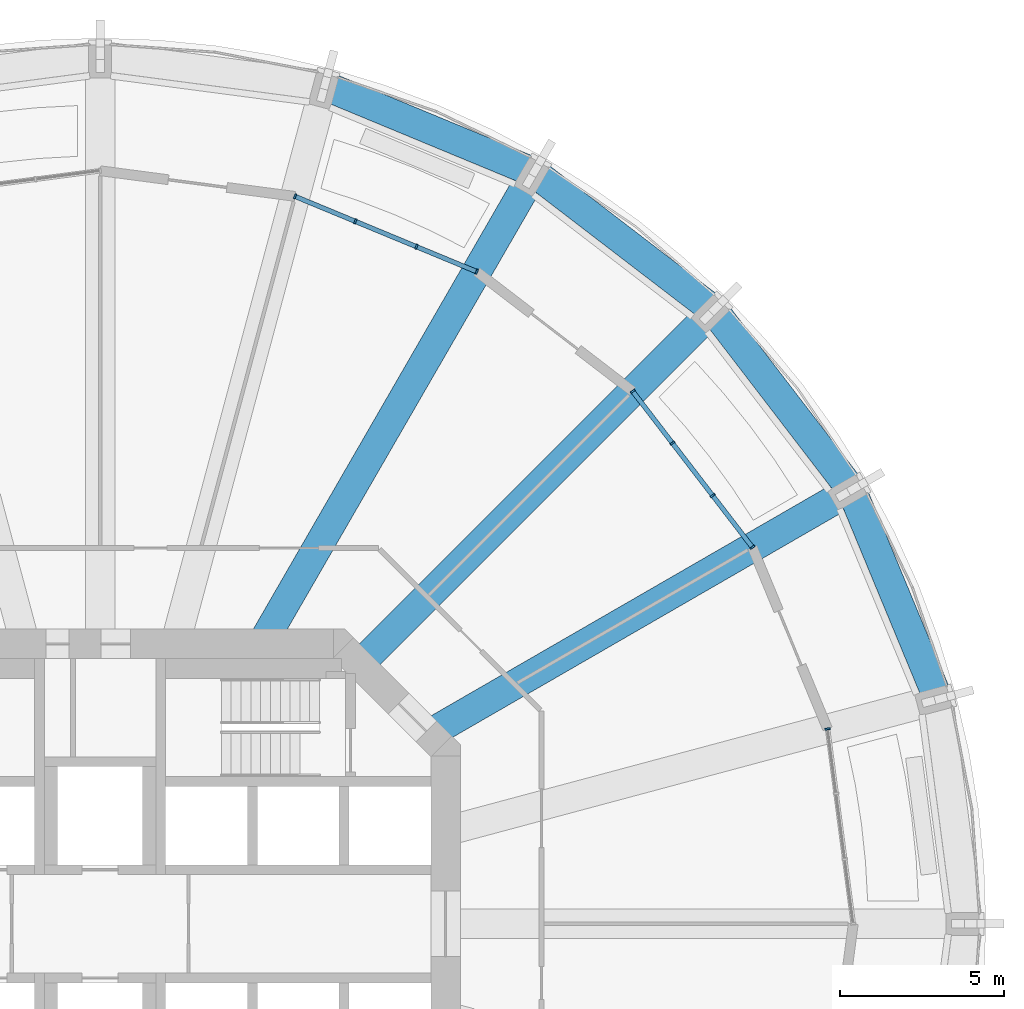
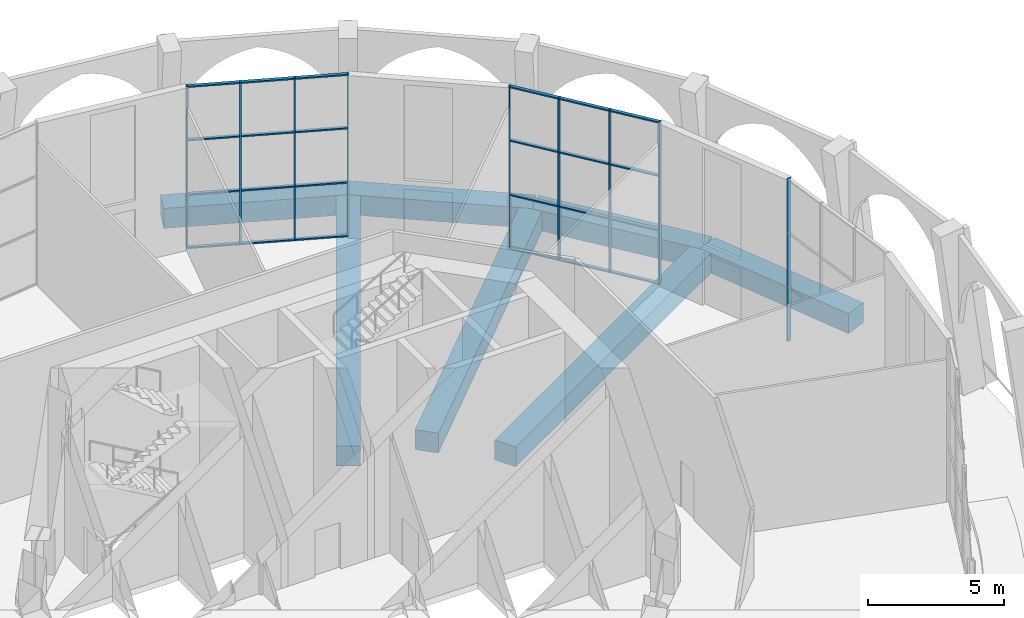
# One storey, part 9 of 19: 33 members, 7 beams, 3 elements without a shape of their own.
"""IFC4 building model written with IfcOpenShell, lengths in metres."""

from ifc_helpers import new_model, si_unit, direction, frame, origin, origin_2d, place, context, subcontext, project, spatial, rectangle, extrude, material, material_profile, profile_set, type_object, element, aggregate, save


model = new_model("IFC4")

# Units and contexts
model_context = context("Model", 3, precision=1e-05, world=origin(), true_north=direction((0.0, 1.0)))
body_context = subcontext(model_context, "Body", "Model", "MODEL_VIEW")
ifc_project = project(units=[si_unit("LENGTHUNIT", "METRE"), si_unit("AREAUNIT", "SQUARE_METRE"), si_unit("VOLUMEUNIT", "CUBIC_METRE"), si_unit("PLANEANGLEUNIT", "RADIAN"), si_unit("MASSUNIT", "GRAM", prefix="KILO")], contexts=[model_context])

# Site, building, storey
site_placement = place(None, origin())
site = spatial("IfcSite", under=ifc_project, at=site_placement, CompositionType="ELEMENT")
building_placement = place(site_placement, origin())
building = spatial("IfcBuilding", under=site, at=building_placement, Name="Torre Triforio", CompositionType="ELEMENT")
storey_placement = place(building_placement, frame((0.0, 0.0, 79.0)))
storey = spatial("IfcBuildingStorey", under=building, at=storey_placement, Name="L17", CompositionType="ELEMENT", Elevation=79.0)

# Curtain wall, member
ifc_material_1 = material(Name="Aluminium mullion and transom frame with clear laminated glass", Category="aluminium")
curtain_wall_type = type_object("IfcCurtainWallType", Name="Sky garden conservatory wall ECW3", PredefinedType="NOTDEFINED", material=ifc_material_1)
curtain_wall_1_placement = place(storey_placement, origin())
curtain_wall_1 = element("IfcCurtainWall", 1, at=curtain_wall_1_placement, inside=storey, type_object=curtain_wall_type, Name="Conservatory wall L17 bay 01", PredefinedType="NOTDEFINED")
ifc_material_2 = material(Name="Anodised aluminium extrusion", Category="aluminium")
ifc_material_profile_1 = material_profile(ifc_material_2, rectangle(XDim=0.159912109375, YDim=0.06005859375, at=origin_2d()), Name="ECW3 MULLION 60x160")
ifc_profile_set_1 = profile_set([ifc_material_profile_1], Name="Anodised aluminium extrusion")
member_type_1 = type_object("IfcMemberType", Name="ECW3 mullion 60 x 160", PredefinedType="MULLION", material=ifc_profile_set_1)
member_1_placement = place(storey_placement, frame((22.21630859375, 5.952880859375, 0.0), z_axis=(0.0, 0.0, 1.0), x_axis=(-0.991445593559, -0.130520630599, 0.0)))
member_1 = element("IfcMember", 2, at=member_1_placement, type_object=member_type_1, Name="ECW3 mullion 4", PredefinedType="MULLION", context=body_context, shape_type="SweptSolid", body=[
    extrude(rectangle(XDim=0.159912109375, YDim=0.06005859375, at=origin_2d()), origin(), (0.0, 0.0, 1.0), 7.320068359375),
])
aggregate(curtain_wall_1, [member_1])

# Curtain wall, members
curtain_wall_2_placement = place(storey_placement, origin())
curtain_wall_2 = element("IfcCurtainWall", 3, at=curtain_wall_2_placement, inside=storey, type_object=curtain_wall_type, Name="Conservatory wall L17 bay 03", PredefinedType="NOTDEFINED")
member_2_placement = place(storey_placement, frame((19.91845703125, 11.5, 0.0), z_axis=(0.0, 0.0, 1.0), x_axis=(-0.79336025885, -0.608752412461, 0.0)))
member_2 = element("IfcMember", 4, at=member_2_placement, type_object=member_type_1, Name="ECW3 mullion 1", PredefinedType="MULLION", context=body_context, shape_type="SweptSolid", body=[
    extrude(rectangle(XDim=0.159912109375, YDim=0.06005859375, at=origin_2d()), origin(), (0.0, 0.0, 1.0), 7.320068359375),
])
member_3_placement = place(storey_placement, frame((18.706298828125, 13.079833984375, 0.0), z_axis=(0.0, 0.0, 1.0), x_axis=(-0.79336025885, -0.608752412461, 0.0)))
member_3 = element("IfcMember", 5, at=member_3_placement, type_object=member_type_1, Name="ECW3 mullion 2", PredefinedType="MULLION", context=body_context, shape_type="SweptSolid", body=[
    extrude(rectangle(XDim=0.159912109375, YDim=0.06005859375, at=origin_2d()), origin(), (0.0, 0.0, 1.0), 7.320068359375),
])
member_4_placement = place(storey_placement, frame((17.475830078125, 14.68359375, 0.0), z_axis=(0.0, 0.0, 1.0), x_axis=(-0.79336025885, -0.608752412461, 0.0)))
member_4 = element("IfcMember", 6, at=member_4_placement, type_object=member_type_1, Name="ECW3 mullion 3", PredefinedType="MULLION", context=body_context, shape_type="SweptSolid", body=[
    extrude(rectangle(XDim=0.159912109375, YDim=0.06005859375, at=origin_2d()), origin(), (0.0, 0.0, 1.0), 7.320068359375),
])
member_5_placement = place(storey_placement, frame((16.263427734375, 16.263427734375, 0.0), z_axis=(0.0, 0.0, 1.0), x_axis=(-0.79336025885, -0.608752412461, 0.0)))
member_5 = element("IfcMember", 7, at=member_5_placement, type_object=member_type_1, Name="ECW3 mullion 4", PredefinedType="MULLION", context=body_context, shape_type="SweptSolid", body=[
    extrude(rectangle(XDim=0.159912109375, YDim=0.06005859375, at=origin_2d()), origin(), (0.0, 0.0, 1.0), 7.320068359375),
])

curtain_wall_3_placement = place(storey_placement, origin())
curtain_wall_3 = element("IfcCurtainWall", 8, at=curtain_wall_3_placement, inside=storey, type_object=curtain_wall_type, Name="Conservatory wall L17 bay 05", PredefinedType="NOTDEFINED")
member_6_placement = place(storey_placement, frame((11.5, 19.918701171875, 0.0), z_axis=(0.0, 0.0, 1.0), x_axis=(-0.382687246105, -0.923877952799, 0.0)))
member_6 = element("IfcMember", 9, at=member_6_placement, type_object=member_type_1, Name="ECW3 mullion 1", PredefinedType="MULLION", context=body_context, shape_type="SweptSolid", body=[
    extrude(rectangle(XDim=0.159912109375, YDim=0.06005859375, at=origin_2d()), origin(), (0.0, 0.0, 1.0), 7.320068359375),
])
member_7_placement = place(storey_placement, frame((9.66015625, 20.6806640625, 0.0), z_axis=(0.0, 0.0, 1.0), x_axis=(-0.382687246105, -0.923877952799, 0.0)))
member_7 = element("IfcMember", 10, at=member_7_placement, type_object=member_type_1, Name="ECW3 mullion 2", PredefinedType="MULLION", context=body_context, shape_type="SweptSolid", body=[
    extrude(rectangle(XDim=0.159912109375, YDim=0.06005859375, at=origin_2d()), origin(), (0.0, 0.0, 1.0), 7.320068359375),
])
member_8_placement = place(storey_placement, frame((7.792724609375, 21.454345703125, 0.0), z_axis=(0.0, 0.0, 1.0), x_axis=(-0.382687246105, -0.923877952799, 0.0)))
member_8 = element("IfcMember", 11, at=member_8_placement, type_object=member_type_1, Name="ECW3 mullion 3", PredefinedType="MULLION", context=body_context, shape_type="SweptSolid", body=[
    extrude(rectangle(XDim=0.159912109375, YDim=0.06005859375, at=origin_2d()), origin(), (0.0, 0.0, 1.0), 7.320068359375),
])
member_9_placement = place(storey_placement, frame((5.952880859375, 22.21630859375, 0.0), z_axis=(0.0, 0.0, 1.0), x_axis=(-0.382687246105, -0.923877952799, 0.0)))
member_9 = element("IfcMember", 12, at=member_9_placement, type_object=member_type_1, Name="ECW3 mullion 4", PredefinedType="MULLION", context=body_context, shape_type="SweptSolid", body=[
    extrude(rectangle(XDim=0.159912109375, YDim=0.06005859375, at=origin_2d()), origin(), (0.0, 0.0, 1.0), 7.320068359375),
])

# Member
ifc_material_profile_2 = material_profile(ifc_material_2, rectangle(XDim=0.139892578125, YDim=0.06005859375, at=origin_2d()), Name="ECW3 TRANSOM 60x140")
ifc_profile_set_2 = profile_set([ifc_material_profile_2], Name="Anodised aluminium extrusion")
member_type_2 = type_object("IfcMemberType", Name="ECW3 transom 60 x 140", PredefinedType="USERDEFINED", material=ifc_profile_set_2)
member_10_placement = place(storey_placement, frame((19.900390625, 11.523681640625, 0.030029296875), z_axis=(-0.608720735783, 0.793384563644, 0.0), x_axis=(-0.793384563644, -0.608720735783, 0.0)))
member_10 = element("IfcMember", 13, at=member_10_placement, type_object=member_type_2, Name="ECW3 transom 1.1", ObjectType="TRANSOM", PredefinedType="USERDEFINED", context=body_context, shape_type="SweptSolid", body=[
    extrude(rectangle(XDim=0.139892578125, YDim=0.06005859375, at=origin_2d()), origin(), (0.0, 0.0, 1.0), 1.931640625),
])

member_11_placement = place(storey_placement, frame((19.900390625, 11.523681640625, 2.43994140625), z_axis=(-0.608720735783, 0.793384563644, 0.0), x_axis=(-0.793384563644, -0.608720735783, 0.0)))
member_11 = element("IfcMember", 14, at=member_11_placement, type_object=member_type_2, Name="ECW3 transom 1.2", ObjectType="TRANSOM", PredefinedType="USERDEFINED", context=body_context, shape_type="SweptSolid", body=[
    extrude(rectangle(XDim=0.139892578125, YDim=0.06005859375, at=origin_2d()), origin(), (0.0, 0.0, 1.0), 1.931640625),
])

member_12_placement = place(storey_placement, frame((19.900390625, 11.523681640625, 4.8798828125), z_axis=(-0.608720735783, 0.793384563644, 0.0), x_axis=(-0.793384563644, -0.608720735783, 0.0)))
member_12 = element("IfcMember", 15, at=member_12_placement, type_object=member_type_2, Name="ECW3 transom 1.3", ObjectType="TRANSOM", PredefinedType="USERDEFINED", context=body_context, shape_type="SweptSolid", body=[
    extrude(rectangle(XDim=0.139892578125, YDim=0.06005859375, at=origin_2d()), origin(), (0.0, 0.0, 1.0), 1.931640625),
])

member_13_placement = place(storey_placement, frame((19.900390625, 11.523681640625, 7.2900390625), z_axis=(-0.608720735783, 0.793384563644, 0.0), x_axis=(-0.793384563644, -0.608720735783, 0.0)))
member_13 = element("IfcMember", 16, at=member_13_placement, type_object=member_type_2, Name="ECW3 transom 1.4", ObjectType="TRANSOM", PredefinedType="USERDEFINED", context=body_context, shape_type="SweptSolid", body=[
    extrude(rectangle(XDim=0.139892578125, YDim=0.06005859375, at=origin_2d()), origin(), (0.0, 0.0, 1.0), 1.931640625),
])

member_14_placement = place(storey_placement, frame((18.68798828125, 13.103759765625, 0.030029296875), z_axis=(-0.608765955401, 0.793349867047, 0.0), x_axis=(-0.793349867047, -0.608765955401, 0.0)))
member_14 = element("IfcMember", 17, at=member_14_placement, type_object=member_type_2, Name="ECW3 transom 2.1", ObjectType="TRANSOM", PredefinedType="USERDEFINED", context=body_context, shape_type="SweptSolid", body=[
    extrude(rectangle(XDim=0.139892578125, YDim=0.06005859375, at=origin_2d()), origin(), (0.0, 0.0, 1.0), 1.96142578125),
])

member_15_placement = place(storey_placement, frame((18.68798828125, 13.103759765625, 2.43994140625), z_axis=(-0.608765955401, 0.793349867047, 0.0), x_axis=(-0.793349867047, -0.608765955401, 0.0)))
member_15 = element("IfcMember", 18, at=member_15_placement, type_object=member_type_2, Name="ECW3 transom 2.2", ObjectType="TRANSOM", PredefinedType="USERDEFINED", context=body_context, shape_type="SweptSolid", body=[
    extrude(rectangle(XDim=0.139892578125, YDim=0.06005859375, at=origin_2d()), origin(), (0.0, 0.0, 1.0), 1.96142578125),
])

member_16_placement = place(storey_placement, frame((18.68798828125, 13.103759765625, 4.8798828125), z_axis=(-0.608765955401, 0.793349867047, 0.0), x_axis=(-0.793349867047, -0.608765955401, 0.0)))
member_16 = element("IfcMember", 19, at=member_16_placement, type_object=member_type_2, Name="ECW3 transom 2.3", ObjectType="TRANSOM", PredefinedType="USERDEFINED", context=body_context, shape_type="SweptSolid", body=[
    extrude(rectangle(XDim=0.139892578125, YDim=0.06005859375, at=origin_2d()), origin(), (0.0, 0.0, 1.0), 1.96142578125),
])

member_17_placement = place(storey_placement, frame((18.68798828125, 13.103759765625, 7.2900390625), z_axis=(-0.608765955401, 0.793349867047, 0.0), x_axis=(-0.793349867047, -0.608765955401, 0.0)))
member_17 = element("IfcMember", 20, at=member_17_placement, type_object=member_type_2, Name="ECW3 transom 2.4", ObjectType="TRANSOM", PredefinedType="USERDEFINED", context=body_context, shape_type="SweptSolid", body=[
    extrude(rectangle(XDim=0.139892578125, YDim=0.06005859375, at=origin_2d()), origin(), (0.0, 0.0, 1.0), 1.96142578125),
])

member_18_placement = place(storey_placement, frame((17.45751953125, 14.70751953125, 0.030029296875), z_axis=(-0.608781782764, 0.793337721891, 0.0), x_axis=(-0.793337721891, -0.608781782764, 0.0)))
member_18 = element("IfcMember", 21, at=member_18_placement, type_object=member_type_2, Name="ECW3 transom 3.1", ObjectType="TRANSOM", PredefinedType="USERDEFINED", context=body_context, shape_type="SweptSolid", body=[
    extrude(rectangle(XDim=0.139892578125, YDim=0.06005859375, at=origin_2d()), origin(), (0.0, 0.0, 1.0), 1.931396484375),
])

member_19_placement = place(storey_placement, frame((17.45751953125, 14.70751953125, 2.43994140625), z_axis=(-0.608781782764, 0.793337721891, 0.0), x_axis=(-0.793337721891, -0.608781782764, 0.0)))
member_19 = element("IfcMember", 22, at=member_19_placement, type_object=member_type_2, Name="ECW3 transom 3.2", ObjectType="TRANSOM", PredefinedType="USERDEFINED", context=body_context, shape_type="SweptSolid", body=[
    extrude(rectangle(XDim=0.139892578125, YDim=0.06005859375, at=origin_2d()), origin(), (0.0, 0.0, 1.0), 1.931396484375),
])

member_20_placement = place(storey_placement, frame((17.45751953125, 14.70751953125, 4.8798828125), z_axis=(-0.608781782764, 0.793337721891, 0.0), x_axis=(-0.793337721891, -0.608781782764, 0.0)))
member_20 = element("IfcMember", 23, at=member_20_placement, type_object=member_type_2, Name="ECW3 transom 3.3", ObjectType="TRANSOM", PredefinedType="USERDEFINED", context=body_context, shape_type="SweptSolid", body=[
    extrude(rectangle(XDim=0.139892578125, YDim=0.06005859375, at=origin_2d()), origin(), (0.0, 0.0, 1.0), 1.931396484375),
])

member_21_placement = place(storey_placement, frame((17.45751953125, 14.70751953125, 7.2900390625), z_axis=(-0.608781782764, 0.793337721891, 0.0), x_axis=(-0.793337721891, -0.608781782764, 0.0)))
member_21 = element("IfcMember", 24, at=member_21_placement, type_object=member_type_2, Name="ECW3 transom 3.4", ObjectType="TRANSOM", PredefinedType="USERDEFINED", context=body_context, shape_type="SweptSolid", body=[
    extrude(rectangle(XDim=0.139892578125, YDim=0.06005859375, at=origin_2d()), origin(), (0.0, 0.0, 1.0), 1.931396484375),
])

aggregate(curtain_wall_2, [member_2, member_3, member_4, member_5, member_10, member_11, member_12, member_13, member_14, member_15, member_16, member_17, member_18, member_19, member_20, member_21])

member_22_placement = place(storey_placement, frame((11.47216796875, 19.93017578125, 0.030029296875), z_axis=(-0.92388278253, 0.382675586032, 0.0), x_axis=(-0.382675586032, -0.92388278253, 0.0)))
member_22 = element("IfcMember", 25, at=member_22_placement, type_object=member_type_2, Name="ECW3 transom 1.1", ObjectType="TRANSOM", PredefinedType="USERDEFINED", context=body_context, shape_type="SweptSolid", body=[
    extrude(rectangle(XDim=0.139892578125, YDim=0.06005859375, at=origin_2d()), origin(), (0.0, 0.0, 1.0), 1.93115234375),
])

member_23_placement = place(storey_placement, frame((11.47216796875, 19.93017578125, 2.43994140625), z_axis=(-0.92388278253, 0.382675586032, 0.0), x_axis=(-0.382675586032, -0.92388278253, 0.0)))
member_23 = element("IfcMember", 26, at=member_23_placement, type_object=member_type_2, Name="ECW3 transom 1.2", ObjectType="TRANSOM", PredefinedType="USERDEFINED", context=body_context, shape_type="SweptSolid", body=[
    extrude(rectangle(XDim=0.139892578125, YDim=0.06005859375, at=origin_2d()), origin(), (0.0, 0.0, 1.0), 1.93115234375),
])

member_24_placement = place(storey_placement, frame((11.47216796875, 19.93017578125, 4.8798828125), z_axis=(-0.92388278253, 0.382675586032, 0.0), x_axis=(-0.382675586032, -0.92388278253, 0.0)))
member_24 = element("IfcMember", 27, at=member_24_placement, type_object=member_type_2, Name="ECW3 transom 1.3", ObjectType="TRANSOM", PredefinedType="USERDEFINED", context=body_context, shape_type="SweptSolid", body=[
    extrude(rectangle(XDim=0.139892578125, YDim=0.06005859375, at=origin_2d()), origin(), (0.0, 0.0, 1.0), 1.93115234375),
])

member_25_placement = place(storey_placement, frame((11.47216796875, 19.93017578125, 7.2900390625), z_axis=(-0.92388278253, 0.382675586032, 0.0), x_axis=(-0.382675586032, -0.92388278253, 0.0)))
member_25 = element("IfcMember", 28, at=member_25_placement, type_object=member_type_2, Name="ECW3 transom 1.4", ObjectType="TRANSOM", PredefinedType="USERDEFINED", context=body_context, shape_type="SweptSolid", body=[
    extrude(rectangle(XDim=0.139892578125, YDim=0.06005859375, at=origin_2d()), origin(), (0.0, 0.0, 1.0), 1.93115234375),
])

member_26_placement = place(storey_placement, frame((9.632568359375, 20.692138671875, 0.030029296875), z_axis=(-0.923866651068, 0.38271452944, 0.0), x_axis=(-0.38271452944, -0.923866651068, 0.0)))
member_26 = element("IfcMember", 29, at=member_26_placement, type_object=member_type_2, Name="ECW3 transom 2.1", ObjectType="TRANSOM", PredefinedType="USERDEFINED", context=body_context, shape_type="SweptSolid", body=[
    extrude(rectangle(XDim=0.139892578125, YDim=0.06005859375, at=origin_2d()), origin(), (0.0, 0.0, 1.0), 1.961669921875),
])

member_27_placement = place(storey_placement, frame((9.632568359375, 20.692138671875, 2.43994140625), z_axis=(-0.923866651068, 0.38271452944, 0.0), x_axis=(-0.38271452944, -0.923866651068, 0.0)))
member_27 = element("IfcMember", 30, at=member_27_placement, type_object=member_type_2, Name="ECW3 transom 2.2", ObjectType="TRANSOM", PredefinedType="USERDEFINED", context=body_context, shape_type="SweptSolid", body=[
    extrude(rectangle(XDim=0.139892578125, YDim=0.06005859375, at=origin_2d()), origin(), (0.0, 0.0, 1.0), 1.961669921875),
])

member_28_placement = place(storey_placement, frame((9.632568359375, 20.692138671875, 4.8798828125), z_axis=(-0.923866651068, 0.38271452944, 0.0), x_axis=(-0.38271452944, -0.923866651068, 0.0)))
member_28 = element("IfcMember", 31, at=member_28_placement, type_object=member_type_2, Name="ECW3 transom 2.3", ObjectType="TRANSOM", PredefinedType="USERDEFINED", context=body_context, shape_type="SweptSolid", body=[
    extrude(rectangle(XDim=0.139892578125, YDim=0.06005859375, at=origin_2d()), origin(), (0.0, 0.0, 1.0), 1.961669921875),
])

member_29_placement = place(storey_placement, frame((9.632568359375, 20.692138671875, 7.2900390625), z_axis=(-0.923866651068, 0.38271452944, 0.0), x_axis=(-0.38271452944, -0.923866651068, 0.0)))
member_29 = element("IfcMember", 32, at=member_29_placement, type_object=member_type_2, Name="ECW3 transom 2.4", ObjectType="TRANSOM", PredefinedType="USERDEFINED", context=body_context, shape_type="SweptSolid", body=[
    extrude(rectangle(XDim=0.139892578125, YDim=0.06005859375, at=origin_2d()), origin(), (0.0, 0.0, 1.0), 1.961669921875),
])

member_30_placement = place(storey_placement, frame((7.764892578125, 21.4658203125, 0.030029296875), z_axis=(-0.923901292417, 0.382630895081, 0.0), x_axis=(-0.382630895081, -0.923901292417, 0.0)))
member_30 = element("IfcMember", 33, at=member_30_placement, type_object=member_type_2, Name="ECW3 transom 3.1", ObjectType="TRANSOM", PredefinedType="USERDEFINED", context=body_context, shape_type="SweptSolid", body=[
    extrude(rectangle(XDim=0.139892578125, YDim=0.06005859375, at=origin_2d()), origin(), (0.0, 0.0, 1.0), 1.931396484375),
])

member_31_placement = place(storey_placement, frame((7.764892578125, 21.4658203125, 2.43994140625), z_axis=(-0.923901292417, 0.382630895081, 0.0), x_axis=(-0.382630895081, -0.923901292417, 0.0)))
member_31 = element("IfcMember", 34, at=member_31_placement, type_object=member_type_2, Name="ECW3 transom 3.2", ObjectType="TRANSOM", PredefinedType="USERDEFINED", context=body_context, shape_type="SweptSolid", body=[
    extrude(rectangle(XDim=0.139892578125, YDim=0.06005859375, at=origin_2d()), origin(), (0.0, 0.0, 1.0), 1.931396484375),
])

member_32_placement = place(storey_placement, frame((7.764892578125, 21.4658203125, 4.8798828125), z_axis=(-0.923901292417, 0.382630895081, 0.0), x_axis=(-0.382630895081, -0.923901292417, 0.0)))
member_32 = element("IfcMember", 35, at=member_32_placement, type_object=member_type_2, Name="ECW3 transom 3.3", ObjectType="TRANSOM", PredefinedType="USERDEFINED", context=body_context, shape_type="SweptSolid", body=[
    extrude(rectangle(XDim=0.139892578125, YDim=0.06005859375, at=origin_2d()), origin(), (0.0, 0.0, 1.0), 1.931396484375),
])

member_33_placement = place(storey_placement, frame((7.764892578125, 21.4658203125, 7.2900390625), z_axis=(-0.923901292417, 0.382630895081, 0.0), x_axis=(-0.382630895081, -0.923901292417, 0.0)))
member_33 = element("IfcMember", 36, at=member_33_placement, type_object=member_type_2, Name="ECW3 transom 3.4", ObjectType="TRANSOM", PredefinedType="USERDEFINED", context=body_context, shape_type="SweptSolid", body=[
    extrude(rectangle(XDim=0.139892578125, YDim=0.06005859375, at=origin_2d()), origin(), (0.0, 0.0, 1.0), 1.931396484375),
])

aggregate(curtain_wall_3, [member_6, member_7, member_8, member_9, member_22, member_23, member_24, member_25, member_26, member_27, member_28, member_29, member_30, member_31, member_32, member_33])

# Beams
ifc_material_3 = material(Name="Concrete C50", Category="concrete")
ifc_material_profile_3 = material_profile(ifc_material_3, rectangle(XDim=0.89990234375, YDim=0.89990234375, at=origin_2d()), Name="RC 900x900")
ifc_profile_set_3 = profile_set([ifc_material_profile_3], Name="Concrete C50")
beam_type_1 = type_object("IfcBeamType", Name="Radial beam RC 900x900 C50", PredefinedType="BEAM", material=ifc_profile_set_3)
beam_1_placement = place(storey_placement, frame((10.039794921875, 5.796630859375, -0.72998046875), z_axis=(0.866030402573, 0.499991341745, 0.0), x_axis=(-0.499991341745, 0.866030402573, 0.0)))
element("IfcBeam", 37, at=beam_1_placement, inside=storey, type_object=beam_type_1, Name="BM.R.L17.02", PredefinedType="BEAM", context=body_context, shape_type="SweptSolid", body=[
    extrude(rectangle(XDim=0.89990234375, YDim=0.89990234375, at=origin_2d()), origin(), (0.0, 0.0, 1.0), 14.906982421875),
])
beam_2_placement = place(storey_placement, frame((7.918212890625, 7.918212890625, -0.72998046875), z_axis=(0.707106781187, 0.707106781187, 0.0), x_axis=(-0.707106781187, 0.707106781187, 0.0)))
element("IfcBeam", 38, at=beam_2_placement, inside=storey, type_object=beam_type_1, Name="BM.R.L17.03", PredefinedType="BEAM", context=body_context, shape_type="SweptSolid", body=[
    extrude(rectangle(XDim=0.89990234375, YDim=0.89990234375, at=origin_2d()), origin(), (0.0, 0.0, 1.0), 15.302001953125),
])
beam_3_placement = place(storey_placement, frame((4.936279296875, 8.550048828125, -0.72998046875), z_axis=(0.500003345241, 0.8660234724, 0.0), x_axis=(-0.8660234724, 0.500003345241, 0.0)))
element("IfcBeam", 39, at=beam_3_placement, inside=storey, type_object=beam_type_1, Name="BM.R.L17.04", PredefinedType="BEAM", context=body_context, shape_type="SweptSolid", body=[
    extrude(rectangle(XDim=0.89990234375, YDim=0.89990234375, at=origin_2d()), origin(), (0.0, 0.0, 1.0), 16.62744140625),
])
ifc_material_profile_4 = material_profile(ifc_material_3, rectangle(XDim=0.89990234375, YDim=0.89990234375, at=origin_2d()), Name="RC 900x900")
ifc_profile_set_4 = profile_set([ifc_material_profile_4], Name="Concrete C50")
beam_type_2 = type_object("IfcBeamType", Name="Spandrel beam RC 900x900 C50", PredefinedType="SPANDREL", material=ifc_profile_set_4)
for number, where, z_axis, x_axis, name in (
    (40, (25.596923828125, 6.858642578125, -0.72998046875), (-0.382662441128, 0.923888227087, 0.0), (-0.923888227087, -0.382662441128, 0.0), "BM.S.L17.01"),
    (41, (22.94970703125, 13.25, -0.72998046875), (-0.608772297796, 0.793345000259, 0.0), (-0.793345000259, -0.608772297796, 0.0), "BM.S.L17.02"),
    (42, (18.73828125, 18.73828125, -0.72998046875), (-0.793345000259, 0.608772297796, 0.0), (-0.608772297796, -0.793345000259, 0.0), "BM.S.L17.03"),
    (43, (13.25, 22.94970703125, -0.72998046875), (-0.923888227087, 0.382662441128, 0.0), (-0.382662441128, -0.923888227087, 0.0), "BM.S.L17.04"),
):
    element("IfcBeam", number, at=place(storey_placement, frame(where, z_axis=z_axis, x_axis=x_axis)), inside=storey, type_object=beam_type_2, Name=name, PredefinedType="SPANDREL", context=body_context, shape_type="SweptSolid", body=[
        extrude(rectangle(XDim=0.89990234375, YDim=0.89990234375, at=origin_2d()), origin(), (0.0, 0.0, 1.0), 6.91796875),
    ])

save(model, "model.ifc")
